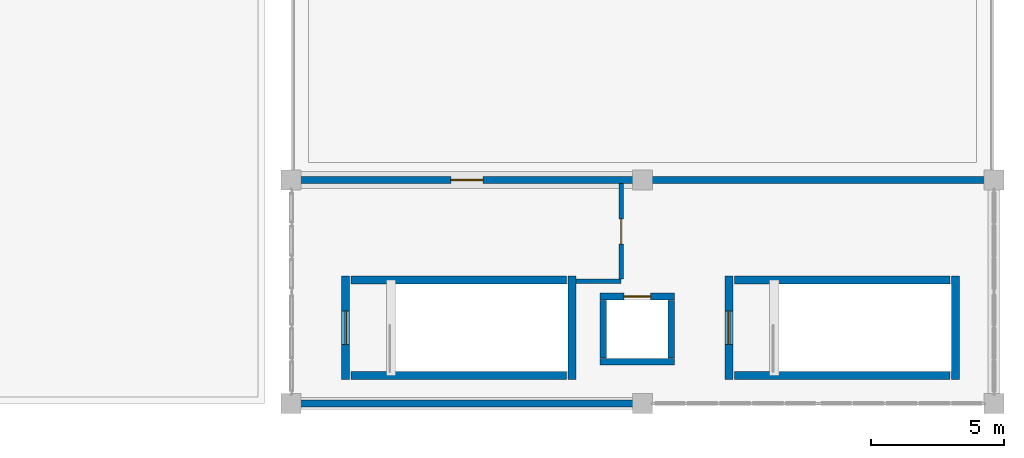
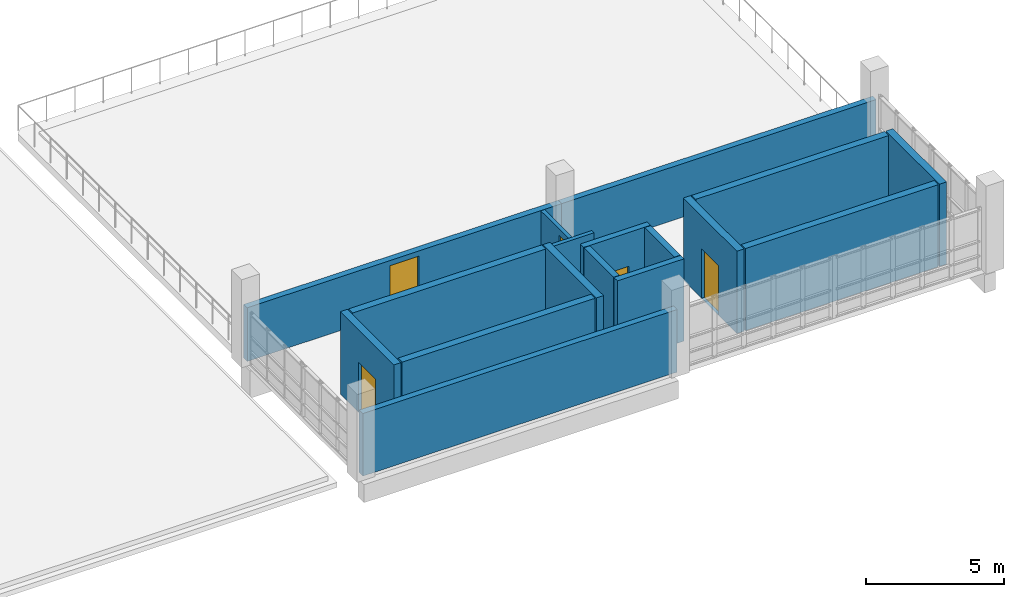
# One storey, part 174 of 188: 17 walls, 5 doors, 5 openings.
"""IFC4 building model written with IfcOpenShell, lengths in metres."""

from ifc_helpers import new_model, si_unit, direction, frame, frame_2d, origin, place, context, subcontext, project, spatial, rectangle, extrude, material, layer, layer_set, type_object, element, fill, save


model = new_model("IFC4")

# Units and contexts
model_context = context("Model", 3, precision=1e-05, world=origin(), true_north=direction((0.0, 1.0)))
body_context = subcontext(model_context, "Body", "Model", "MODEL_VIEW")
ifc_project = project(units=[si_unit("LENGTHUNIT", "METRE"), si_unit("AREAUNIT", "SQUARE_METRE"), si_unit("VOLUMEUNIT", "CUBIC_METRE"), si_unit("PLANEANGLEUNIT", "RADIAN"), si_unit("MASSUNIT", "GRAM", prefix="KILO")], contexts=[model_context])

# Site, building, storey
site_placement = place(None, origin())
site = spatial("IfcSite", under=ifc_project, at=site_placement, CompositionType="ELEMENT")
building_placement = place(site_placement, origin())
building = spatial("IfcBuilding", under=site, at=building_placement, Name="Kisaragi Civic Commons", CompositionType="ELEMENT")
storey_placement = place(building_placement, frame((0.0, 0.0, 9.60009765625)))
storey = spatial("IfcBuildingStorey", under=building, at=storey_placement, Name="L02", CompositionType="ELEMENT", Elevation=9.60009765625)

# Wall, opening, door
ifc_material_1 = material(Name="Insulated Tokoname terracotta cavity wall", Category="masonry")
ifc_layer_1 = layer(ifc_material_1, 0.258056640625, Name="Insulated Tokoname terracotta cavity wall", Category="masonry")
ifc_layer_set_1 = layer_set([ifc_layer_1], Name="Insulated Tokoname terracotta cavity wall")
wall_type_1 = type_object("IfcWallType", Name="EW-08", PredefinedType="STANDARD", material=ifc_layer_set_1)
wall_1_placement = place(storey_placement, frame((146.39990234375, 8.39990234375, 0.0), z_axis=(0.0, 0.0, 1.0), x_axis=(1.0, 0.0, 0.0)))
wall_1 = element("IfcWall", 1, at=wall_1_placement, inside=storey, type_object=wall_type_1, Name="V3 L02 exterior terracotta wall EW-08 274", PredefinedType="STANDARD", context=body_context, shape_type="SweptSolid", body=[
    extrude(rectangle(XDim=13.2001953125, YDim=0.258056640625, at=frame_2d((6.60009765625, 0.0))), origin(), (0.0, 0.0, 1.0), 2.3798828125),
])
opening_1_placement = place(wall_1_placement, frame((6.0, 0.0, 0.0)))
opening_1 = element("IfcOpeningElement", 2, at=opening_1_placement, cuts=wall_1, Name="Opening TD-01", PredefinedType="OPENING", context=body_context, shape_type="SweptSolid", body=[
    extrude(rectangle(XDim=1.199951171875, YDim=2.14990234375, at=frame_2d((0.60009765625, 1.074951171875))), frame((0.0, 0.138916015625, 0.0), z_axis=(0.0, -1.0, 0.0), x_axis=(1.0, 0.0, 0.0)), (0.0, 0.0, 1.0), 0.278076171875),
])
ifc_material_2 = material(Name="Thermally broken anodized aluminium glazed exit door", Category="aluminium")
door_type_1 = type_object("IfcDoorType", Name="TD-01", OperationType="NOTDEFINED", PredefinedType="DOOR", material=ifc_material_2)
door_1_placement = place(opening_1_placement, origin())
door_1 = element("IfcDoor", 3, at=door_1_placement, inside=storey, type_object=door_type_1, Name="V3 L02 terrace access door 05", OperationType="SINGLE_SWING_LEFT", OverallHeight=2.14990234375, OverallWidth=1.199951171875, PredefinedType="DOOR", context=body_context, shape_type="SweptSolid", body=[
    extrude(rectangle(XDim=1.199951171875, YDim=2.14990234375, at=frame_2d((0.60009765625, 1.074951171875))), frame((0.0, 0.02490234375, 0.0), z_axis=(0.0, -1.0, 0.0), x_axis=(1.0, 0.0, 0.0)), (0.0, 0.0, 1.0), 0.050048828125),
])
fill(opening_1, door_1)

# Walls
wall_2_placement = place(storey_placement, frame((159.60009765625, 8.39990234375, 0.0), z_axis=(0.0, 0.0, 1.0), x_axis=(1.0, 0.0, 0.0)))
element("IfcWall", 4, at=wall_2_placement, inside=storey, type_object=wall_type_1, Name="V3 L02 exterior terracotta wall EW-08 275", PredefinedType="STANDARD", context=body_context, shape_type="SweptSolid", body=[
    extrude(rectangle(XDim=13.199951171875, YDim=0.258056640625, at=frame_2d((6.60009765625, 0.0))), origin(), (0.0, 0.0, 1.0), 2.3798828125),
])
wall_3_placement = place(storey_placement, frame((159.60009765625, 0.0, 0.0), z_axis=(0.0, 0.0, 1.0), x_axis=(-1.0, 0.0, 0.0)))
element("IfcWall", 5, at=wall_3_placement, inside=storey, type_object=wall_type_1, Name="V3 L02 exterior terracotta wall EW-08 276", PredefinedType="STANDARD", context=body_context, shape_type="SweptSolid", body=[
    extrude(rectangle(XDim=13.2001953125, YDim=0.258056640625, at=frame_2d((6.60009765625, 0.0))), origin(), (0.0, 0.0, 1.0), 2.77978515625),
])

# Wall, opening, door
ifc_material_3 = material(Name="Cementitious tile-backer board on galvanized steel studs", Category="steel")
ifc_layer_2 = layer(ifc_material_3, 0.16796875, Name="Cementitious tile-backer board on galvanized steel studs", Category="steel")
ifc_layer_set_2 = layer_set([ifc_layer_2], Name="Cementitious tile-backer board on galvanized steel studs")
wall_type_2 = type_object("IfcWallType", Name="IW-03", PredefinedType="STANDARD", material=ifc_layer_set_2)
wall_4_placement = place(storey_placement, frame((158.800048828125, 8.262939453125, 0.0), z_axis=(0.0, 0.0, 1.0), x_axis=(0.0, -1.0, 0.0)))
wall_4 = element("IfcWall", 6, at=wall_4_placement, inside=storey, type_object=wall_type_2, Name="L02 D2-02 partition IW-03 299", PredefinedType="STANDARD", context=body_context, shape_type="SweptSolid", body=[
    extrude(rectangle(XDim=3.587890625, YDim=0.16796875, at=frame_2d((1.7939453125, 0.0))), origin(), (0.0, 0.0, 1.0), 2.3798828125),
])
opening_2_placement = place(wall_4_placement, frame((1.319091796875, 0.0, 0.0)))
opening_2 = element("IfcOpeningElement", 7, at=opening_2_placement, cuts=wall_4, Name="Opening ID-01", PredefinedType="OPENING", context=body_context, shape_type="SweptSolid", body=[
    extrude(rectangle(XDim=0.949951171875, YDim=2.10009765625, at=frame_2d((0.47509765625, 1.050048828125))), frame((0.0, 0.093994140625, 0.0), z_axis=(0.0, -1.0, 0.0), x_axis=(1.0, 0.0, 0.0)), (0.0, 0.0, 1.0), 0.18798828125),
])
ifc_material_4 = material(Name="Solid-core Japanese ash acoustic flush timber leaf in steel frame", Category="steel")
door_type_2 = type_object("IfcDoorType", Name="ID-01", OperationType="NOTDEFINED", PredefinedType="DOOR", material=ifc_material_4)
door_2_placement = place(opening_2_placement, origin())
door_2 = element("IfcDoor", 8, at=door_2_placement, inside=storey, type_object=door_type_2, Name="Garden Lounge Accessible WC door ID-01", OperationType="SINGLE_SWING_RIGHT", OverallHeight=2.10009765625, OverallWidth=0.949951171875, PredefinedType="DOOR", context=body_context, shape_type="SweptSolid", body=[
    extrude(rectangle(XDim=0.949951171875, YDim=2.10009765625, at=frame_2d((0.47509765625, 1.050048828125))), frame((0.0, 0.02490234375, 0.0), z_axis=(0.0, -1.0, 0.0), x_axis=(1.0, 0.0, 0.0)), (0.0, 0.0, 1.0), 0.050048828125),
])
fill(opening_2, door_2)

# Wall
wall_5_placement = place(storey_placement, frame((158.794921875, 4.60009765625, 0.0), z_axis=(0.0, 0.0, 1.0), x_axis=(-1.0, 0.0, 0.0)))
element("IfcWall", 9, at=wall_5_placement, inside=storey, type_object=wall_type_2, Name="L02 D2-02 partition IW-03 300", PredefinedType="STANDARD", context=body_context, shape_type="SweptSolid", body=[
    extrude(rectangle(XDim=1.68701171875, YDim=0.16796875, at=frame_2d((0.843505859375, 0.0))), origin(), (0.0, 0.0, 1.0), 3.64990234375),
])

# Wall, opening, door
ifc_material_5 = material(Name="Concrete Fc36", Category="concrete")
ifc_layer_3 = layer(ifc_material_5, 0.300048828125, Name="Concrete Fc36", Category="concrete")
ifc_layer_set_3 = layer_set([ifc_layer_3], Name="Concrete Fc36")
wall_type_3 = type_object("IfcWallType", Name="SW-01", PredefinedType="SHEAR", material=ifc_layer_set_3)
wall_6_placement = place(storey_placement, frame((148.449951171875, 4.800048828125, 0.0), z_axis=(0.0, 0.0, 1.0), x_axis=(0.0, -1.0, 0.0)))
wall_6 = element("IfcWall", 10, at=wall_6_placement, inside=storey, type_object=wall_type_3, Name="ST-D1 L02 entry RC shear wall", PredefinedType="SHEAR", context=body_context, shape_type="SweptSolid", body=[
    extrude(rectangle(XDim=3.900146484375, YDim=0.300048828125, at=frame_2d((1.9501953125, 0.0))), origin(), (0.0, 0.0, 1.0), 3.64990234375),
])
opening_3_placement = place(wall_6_placement, frame((1.324951171875, 0.0, 0.0)))
opening_3 = element("IfcOpeningElement", 11, at=opening_3_placement, cuts=wall_6, Name="Opening SD-01", PredefinedType="OPENING", context=body_context, shape_type="SweptSolid", body=[
    extrude(rectangle(XDim=1.25, YDim=2.199951171875, at=frame_2d((0.625, 1.10009765625))), frame((0.0, 0.159912109375, 0.0), z_axis=(0.0, -1.0, 0.0), x_axis=(1.0, 0.0, 0.0)), (0.0, 0.0, 1.0), 0.320068359375),
])
ifc_material_6 = material(Name="Insulated fire-rated pressed steel door assembly", Category="steel")
door_type_3 = type_object("IfcDoorType", Name="SD-01", OperationType="NOTDEFINED", PredefinedType="DOOR", material=ifc_material_6)
door_3_placement = place(opening_3_placement, origin())
door_3 = element("IfcDoor", 12, at=door_3_placement, inside=storey, type_object=door_type_3, Name="ST-D1 L02 stair fire door 35", OperationType="SINGLE_SWING_LEFT", OverallHeight=2.199951171875, OverallWidth=1.25, PredefinedType="DOOR", context=body_context, shape_type="SweptSolid", body=[
    extrude(rectangle(XDim=1.25, YDim=2.199951171875, at=frame_2d((0.625, 1.10009765625))), frame((0.0, 0.02490234375, 0.0), z_axis=(0.0, -1.0, 0.0), x_axis=(1.0, 0.0, 0.0)), (0.0, 0.0, 1.0), 0.050048828125),
])
fill(opening_3, door_3)

# Walls
wall_7_placement = place(storey_placement, frame((148.64990234375, 1.050048828125, 0.0), z_axis=(0.0, 0.0, 1.0), x_axis=(1.0, 0.0, 0.0)))
element("IfcWall", 13, at=wall_7_placement, inside=storey, type_object=wall_type_3, Name="ST-D1 L02 right RC shear wall", PredefinedType="SHEAR", context=body_context, shape_type="SweptSolid", body=[
    extrude(rectangle(XDim=8.10009765625, YDim=0.300048828125, at=frame_2d((4.050048828125, 0.0))), origin(), (0.0, 0.0, 1.0), 3.64990234375),
])
wall_8_placement = place(storey_placement, frame((156.949951171875, 0.89990234375, 0.0), z_axis=(0.0, 0.0, 1.0), x_axis=(0.0, 1.0, 0.0)))
element("IfcWall", 14, at=wall_8_placement, inside=storey, type_object=wall_type_3, Name="ST-D1 L02 far RC shear wall", PredefinedType="SHEAR", context=body_context, shape_type="SweptSolid", body=[
    extrude(rectangle(XDim=3.900146484375, YDim=0.300048828125, at=frame_2d((1.9501953125, 0.0))), origin(), (0.0, 0.0, 1.0), 3.64990234375),
])
wall_9_placement = place(storey_placement, frame((156.75, 4.64990234375, 0.0), z_axis=(0.0, 0.0, 1.0), x_axis=(-1.0, 0.0, 0.0)))
element("IfcWall", 15, at=wall_9_placement, inside=storey, type_object=wall_type_3, Name="ST-D1 L02 left RC shear wall", PredefinedType="SHEAR", context=body_context, shape_type="SweptSolid", body=[
    extrude(rectangle(XDim=8.10009765625, YDim=0.300048828125, at=frame_2d((4.050048828125, 0.0))), origin(), (0.0, 0.0, 1.0), 3.64990234375),
])

# Wall, opening, door
wall_10_placement = place(storey_placement, frame((162.85009765625, 4.800048828125, 0.0), z_axis=(0.0, 0.0, 1.0), x_axis=(0.0, -1.0, 0.0)))
wall_10 = element("IfcWall", 16, at=wall_10_placement, inside=storey, type_object=wall_type_3, Name="ST-D2 L02 entry RC shear wall", PredefinedType="SHEAR", context=body_context, shape_type="SweptSolid", body=[
    extrude(rectangle(XDim=3.900146484375, YDim=0.300048828125, at=frame_2d((1.9501953125, 0.0))), origin(), (0.0, 0.0, 1.0), 3.64990234375),
])
opening_4_placement = place(wall_10_placement, frame((1.324951171875, 0.0, 0.0)))
opening_4 = element("IfcOpeningElement", 17, at=opening_4_placement, cuts=wall_10, Name="Opening SD-01", PredefinedType="OPENING", context=body_context, shape_type="SweptSolid", body=[
    extrude(rectangle(XDim=1.25, YDim=2.199951171875, at=frame_2d((0.625, 1.10009765625))), frame((0.0, 0.159912109375, 0.0), z_axis=(0.0, -1.0, 0.0), x_axis=(1.0, 0.0, 0.0)), (0.0, 0.0, 1.0), 0.320068359375),
])
door_4_placement = place(opening_4_placement, origin())
door_4 = element("IfcDoor", 18, at=door_4_placement, inside=storey, type_object=door_type_3, Name="ST-D2 L02 stair fire door 38", OperationType="SINGLE_SWING_RIGHT", OverallHeight=2.199951171875, OverallWidth=1.25, PredefinedType="DOOR", context=body_context, shape_type="SweptSolid", body=[
    extrude(rectangle(XDim=1.25, YDim=2.199951171875, at=frame_2d((0.625, 1.10009765625))), frame((0.0, 0.02490234375, 0.0), z_axis=(0.0, -1.0, 0.0), x_axis=(1.0, 0.0, 0.0)), (0.0, 0.0, 1.0), 0.050048828125),
])
fill(opening_4, door_4)

# Walls
wall_11_placement = place(storey_placement, frame((163.050048828125, 1.050048828125, 0.0), z_axis=(0.0, 0.0, 1.0), x_axis=(1.0, 0.0, 0.0)))
element("IfcWall", 19, at=wall_11_placement, inside=storey, type_object=wall_type_3, Name="ST-D2 L02 right RC shear wall", PredefinedType="SHEAR", context=body_context, shape_type="SweptSolid", body=[
    extrude(rectangle(XDim=8.099853515625, YDim=0.300048828125, at=frame_2d((4.0498046875, 0.0))), origin(), (0.0, 0.0, 1.0), 3.64990234375),
])
wall_12_placement = place(storey_placement, frame((171.35009765625, 0.89990234375, 0.0), z_axis=(0.0, 0.0, 1.0), x_axis=(0.0, 1.0, 0.0)))
element("IfcWall", 20, at=wall_12_placement, inside=storey, type_object=wall_type_3, Name="ST-D2 L02 far RC shear wall", PredefinedType="SHEAR", context=body_context, shape_type="SweptSolid", body=[
    extrude(rectangle(XDim=3.900146484375, YDim=0.300048828125, at=frame_2d((1.9501953125, 0.0))), origin(), (0.0, 0.0, 1.0), 3.64990234375),
])
wall_13_placement = place(storey_placement, frame((171.14990234375, 4.64990234375, 0.0), z_axis=(0.0, 0.0, 1.0), x_axis=(-1.0, 0.0, 0.0)))
element("IfcWall", 21, at=wall_13_placement, inside=storey, type_object=wall_type_3, Name="ST-D2 L02 left RC shear wall", PredefinedType="SHEAR", context=body_context, shape_type="SweptSolid", body=[
    extrude(rectangle(XDim=8.099853515625, YDim=0.300048828125, at=frame_2d((4.0498046875, 0.0))), origin(), (0.0, 0.0, 1.0), 3.64990234375),
])
ifc_layer_4 = layer(ifc_material_5, 0.25, Name="Concrete Fc36", Category="concrete")
ifc_layer_set_4 = layer_set([ifc_layer_4], Name="Concrete Fc36")
wall_type_4 = type_object("IfcWallType", Name="SW-02", PredefinedType="SHEAR", material=ifc_layer_set_4)
wall_14_placement = place(storey_placement, frame((160.800048828125, 1.574951171875, 0.0), z_axis=(0.0, 0.0, 1.0), x_axis=(-1.0, 0.0, 0.0)))
element("IfcWall", 22, at=wall_14_placement, inside=storey, type_object=wall_type_4, Name="EL-D1 L02 south lift shaft wall", PredefinedType="SHEAR", context=body_context, shape_type="SweptSolid", body=[
    extrude(rectangle(XDim=2.800048828125, YDim=0.25, at=frame_2d((1.39990234375, 0.0))), origin(), (0.0, 0.0, 1.0), 3.64990234375),
])
wall_15_placement = place(storey_placement, frame((158.125, 1.719970703125, 0.0), z_axis=(0.0, 0.0, 1.0), x_axis=(0.0, 1.0, 0.0)))
element("IfcWall", 23, at=wall_15_placement, inside=storey, type_object=wall_type_4, Name="EL-D1 L02 west lift shaft wall", PredefinedType="SHEAR", context=body_context, shape_type="SweptSolid", body=[
    extrude(rectangle(XDim=2.159912109375, YDim=0.25, at=frame_2d((1.080078125, 0.0))), origin(), (0.0, 0.0, 1.0), 3.64990234375),
])

# Wall, opening, door
wall_16_placement = place(storey_placement, frame((158.0, 4.02490234375, 0.0), z_axis=(0.0, 0.0, 1.0), x_axis=(1.0, 0.0, 0.0)))
wall_16 = element("IfcWall", 24, at=wall_16_placement, inside=storey, type_object=wall_type_4, Name="EL-D1 L02 north lift shaft wall", PredefinedType="SHEAR", context=body_context, shape_type="SweptSolid", body=[
    extrude(rectangle(XDim=2.800048828125, YDim=0.25, at=frame_2d((1.39990234375, 0.0))), origin(), (0.0, 0.0, 1.0), 3.64990234375),
])
opening_5_placement = place(wall_16_placement, frame((0.89990234375, 0.0, 0.0)))
opening_5 = element("IfcOpeningElement", 25, at=opening_5_placement, cuts=wall_16, Name="Opening LD-02", PredefinedType="OPENING", context=body_context, shape_type="SweptSolid", body=[
    extrude(rectangle(XDim=1.0, YDim=2.14990234375, at=frame_2d((0.5, 1.074951171875))), frame((0.0, 0.135009765625, 0.0), z_axis=(0.0, -1.0, 0.0), x_axis=(1.0, 0.0, 0.0)), (0.0, 0.0, 1.0), 0.27001953125),
])
ifc_material_7 = material(Name="Brushed stainless steel bi-parting landing door", Category="steel")
door_type_4 = type_object("IfcDoorType", Name="LD-02", OperationType="NOTDEFINED", PredefinedType="DOOR", material=ifc_material_7)
door_5_placement = place(opening_5_placement, origin())
door_5 = element("IfcDoor", 26, at=door_5_placement, inside=storey, type_object=door_type_4, Name="EL-D1 L02 sliding lift landing door", OperationType="DOUBLE_DOOR_SLIDING", OverallHeight=2.14990234375, OverallWidth=1.0, PredefinedType="DOOR", context=body_context, shape_type="SweptSolid", body=[
    extrude(rectangle(XDim=1.0, YDim=2.14990234375, at=frame_2d((0.5, 1.074951171875))), frame((0.0, 0.02490234375, 0.0), z_axis=(0.0, -1.0, 0.0), x_axis=(1.0, 0.0, 0.0)), (0.0, 0.0, 1.0), 0.050048828125),
])
fill(opening_5, door_5)

# Wall
wall_17_placement = place(storey_placement, frame((160.675048828125, 3.8798828125, 0.0), z_axis=(0.0, 0.0, 1.0), x_axis=(0.0, -1.0, 0.0)))
element("IfcWall", 27, at=wall_17_placement, inside=storey, type_object=wall_type_4, Name="EL-D1 L02 east lift shaft wall", PredefinedType="SHEAR", context=body_context, shape_type="SweptSolid", body=[
    extrude(rectangle(XDim=2.159912109375, YDim=0.25, at=frame_2d((1.080078125, 0.0))), origin(), (0.0, 0.0, 1.0), 3.64990234375),
])

save(model, "model.ifc")
